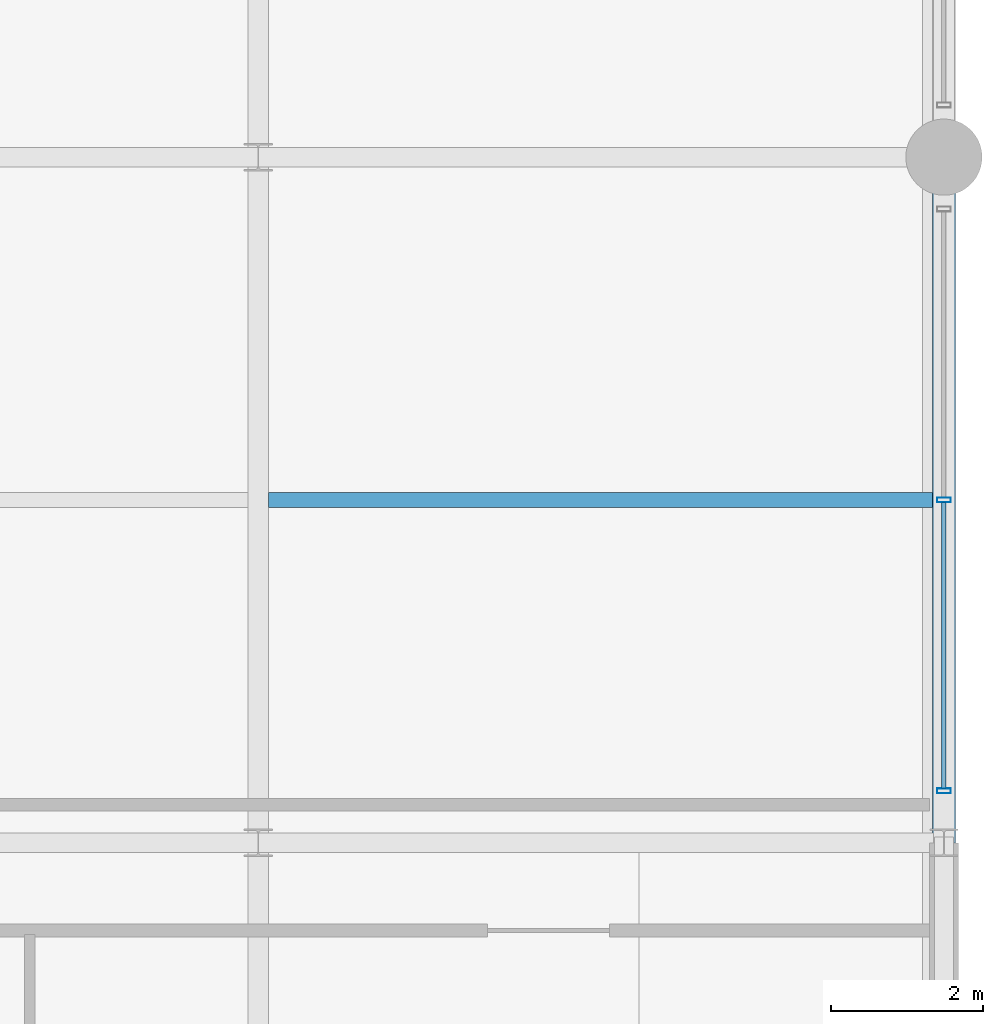
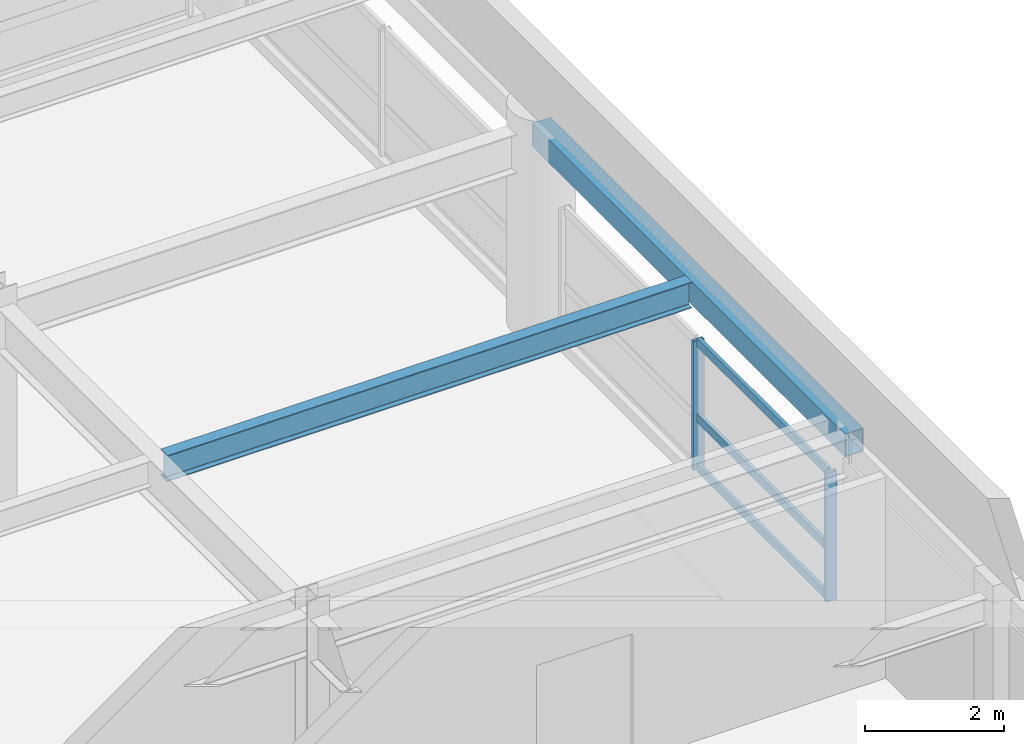
# One storey, part 56 of 108: 5 members, 2 beams, 1 element without a shape of its own.
"""IFC4 building model written with IfcOpenShell, lengths in metres."""

from ifc_helpers import new_model, si_unit, direction, frame, origin, origin_2d, place, context, subcontext, project, spatial, hollow_rectangle, i_section, extrude, material, material_profile, profile_set, type_object, element, aggregate, save


model = new_model("IFC4")

# Units and contexts
model_context = context("Model", 3, precision=1e-05, world=origin(), true_north=direction((0.0, 1.0)))
body_context = subcontext(model_context, "Body", "Model", "MODEL_VIEW")
ifc_project = project(units=[si_unit("LENGTHUNIT", "METRE"), si_unit("AREAUNIT", "SQUARE_METRE"), si_unit("VOLUMEUNIT", "CUBIC_METRE"), si_unit("PLANEANGLEUNIT", "RADIAN"), si_unit("MASSUNIT", "GRAM", prefix="KILO")], contexts=[model_context])

# Site, building, storey
site_placement = place(None, origin())
site = spatial("IfcSite", under=ifc_project, at=site_placement, CompositionType="ELEMENT")
building_placement = place(site_placement, origin())
building = spatial("IfcBuilding", under=site, at=building_placement, Name="Kaldorvane Square Convention Centre", CompositionType="ELEMENT")
storey_placement = place(building_placement, frame((0.0, 0.0, 23.399993896484375)))
storey = spatial("IfcBuildingStorey", under=building, at=storey_placement, Name="L04", CompositionType="ELEMENT", Elevation=23.399993896484375)

# Beams
ifc_material_1 = material(Name="Steel ASTM A992 Gr. 50", Category="steel")
ifc_material_profile_1 = material_profile(ifc_material_1, i_section(OverallWidth=0.1912994384765625, OverallDepth=0.4600067138671875, WebThickness=0.0099029541015625, FlangeThickness=0.0160064697265625, FilletRadius=0.01019287109375, at=origin_2d()), Name="W18X55")
ifc_profile_set_1 = profile_set([ifc_material_profile_1], Name="Steel ASTM A992 Gr. 50")
beam_type_1 = type_object("IfcBeamType", Name="BM-JS-W18X55", PredefinedType="JOIST", material=ifc_profile_set_1)
beam_1_placement = place(storey_placement, frame((165.13330078125, 22.5, 3.2960052490234375), z_axis=(1.0, 0.0, 0.0), x_axis=(0.0, 1.0, 0.0)))
element("IfcBeam", 1, at=beam_1_placement, inside=storey, type_object=beam_type_1, Name="Secondary Floor Joist (L04)", PredefinedType="JOIST", context=body_context, shape_type="SweptSolid", body=[
    extrude(i_section(OverallWidth=0.1912994384765625, OverallDepth=0.4600067138671875, WebThickness=0.0099029541015625, FlangeThickness=0.0160064697265625, FilletRadius=0.01019287109375, at=origin_2d()), origin(), (0.0, 0.0, 1.0), 8.71429443359375),
])
ifc_material_2 = material(Name="Steel ASTM A500 Gr. C", Category="steel")
ifc_material_profile_2 = material_profile(ifc_material_2, hollow_rectangle(XDim=0.3047943115234375, YDim=0.406402587890625, WallThickness=0.0117950439453125, at=origin_2d()), Name="HSS16X12X1/2")
ifc_profile_set_2 = profile_set([ifc_material_profile_2], Name="Steel ASTM A500 Gr. C")
beam_type_2 = type_object("IfcBeamType", Name="BM-SP-HSS16", PredefinedType="SPANDREL", material=ifc_profile_set_2)
beam_2_placement = place(storey_placement, frame((174.0, 18.0, 3.3227996826171875), z_axis=(0.0, 1.0, 0.0), x_axis=(-1.0, 0.0, 0.0)))
element("IfcBeam", 2, at=beam_2_placement, inside=storey, type_object=beam_type_2, Name="End Spandrel (L04)", PredefinedType="SPANDREL", context=body_context, shape_type="SweptSolid", body=[
    extrude(hollow_rectangle(XDim=0.3047943115234375, YDim=0.406402587890625, WallThickness=0.0117950439453125, at=origin_2d()), origin(), (0.0, 0.0, 1.0), 9.0),
])

# Curtain wall, members
ifc_material_3 = material(Name="Anodized Aluminum and Low-E Insulated Glazing", Category="aluminium")
curtain_wall_type = type_object("IfcCurtainWallType", Name="CW-UNI-P42-09", PredefinedType="USERDEFINED", material=ifc_material_3)
curtain_wall_placement = place(storey_placement, origin())
curtain_wall = element("IfcCurtainWall", 3, at=curtain_wall_placement, inside=storey, type_object=curtain_wall_type, Name="Curtain Wall CW-06 (L04)", ObjectType="UNITISED GLAZING", PredefinedType="USERDEFINED")
ifc_material_profile_3 = material_profile(ifc_material_3, hollow_rectangle(XDim=0.06500244140625, YDim=0.17999267578125, WallThickness=0.0034942626953125, at=origin_2d()), Name="CWM-180X65")
ifc_profile_set_3 = profile_set([ifc_material_profile_3], Name="Anodized Aluminum and Low-E Insulated Glazing")
member_type_1 = type_object("IfcMemberType", Name="CW-MUL-180", PredefinedType="MULLION", material=ifc_profile_set_3)
member_1_placement = place(storey_placement, frame((174.0, 18.6824951171875, 0.1500091552734375), z_axis=(0.0, 0.0, 1.0), x_axis=(0.0, 1.0, 0.0)))
member_1 = element("IfcMember", 4, at=member_1_placement, type_object=member_type_1, Name="CW-06 mullion 1", PredefinedType="MULLION", context=body_context, shape_type="SweptSolid", body=[
    extrude(hollow_rectangle(XDim=0.06500244140625, YDim=0.17999267578125, WallThickness=0.0034942626953125, at=origin_2d()), origin(), (0.0, 0.0, 1.0), 2.2599945068359375),
])
member_2_placement = place(storey_placement, frame((174.0, 22.5, 0.1500091552734375), z_axis=(0.0, 0.0, 1.0), x_axis=(0.0, 1.0, 0.0)))
member_2 = element("IfcMember", 5, at=member_2_placement, type_object=member_type_1, Name="CW-06 mullion 2", PredefinedType="MULLION", context=body_context, shape_type="SweptSolid", body=[
    extrude(hollow_rectangle(XDim=0.06500244140625, YDim=0.17999267578125, WallThickness=0.0034942626953125, at=origin_2d()), origin(), (0.0, 0.0, 1.0), 2.2599945068359375),
])
ifc_material_profile_4 = material_profile(ifc_material_3, hollow_rectangle(XDim=0.05999755859375, YDim=0.149993896484375, WallThickness=0.003204345703125, at=origin_2d()), Name="CWT-150X60")
ifc_profile_set_4 = profile_set([ifc_material_profile_4], Name="Anodized Aluminum and Low-E Insulated Glazing")
member_type_2 = type_object("IfcMemberType", Name="CW-TRN-150", PredefinedType="USERDEFINED", material=ifc_profile_set_4)
member_3_placement = place(storey_placement, frame((174.0, 18.714996337890625, 0.1800079345703125), z_axis=(0.0, 1.0, 0.0), x_axis=(-1.0, 0.0, 0.0)))
member_3 = element("IfcMember", 6, at=member_3_placement, type_object=member_type_2, Name="CW-06 transom 1.1", ObjectType="TRANSOM", PredefinedType="USERDEFINED", context=body_context, shape_type="SweptSolid", body=[
    extrude(hollow_rectangle(XDim=0.05999755859375, YDim=0.149993896484375, WallThickness=0.003204345703125, at=origin_2d()), origin(), (0.0, 0.0, 1.0), 3.75250244140625),
])
member_4_placement = place(storey_placement, frame((174.0, 18.714996337890625, 1.0500030517578125), z_axis=(0.0, 1.0, 0.0), x_axis=(-1.0, 0.0, 0.0)))
member_4 = element("IfcMember", 7, at=member_4_placement, type_object=member_type_2, Name="CW-06 transom 1.2", ObjectType="TRANSOM", PredefinedType="USERDEFINED", context=body_context, shape_type="SweptSolid", body=[
    extrude(hollow_rectangle(XDim=0.05999755859375, YDim=0.149993896484375, WallThickness=0.003204345703125, at=origin_2d()), origin(), (0.0, 0.0, 1.0), 3.75250244140625),
])
member_5_placement = place(storey_placement, frame((174.0, 18.714996337890625, 2.3800048828125), z_axis=(0.0, 1.0, 0.0), x_axis=(-1.0, 0.0, 0.0)))
member_5 = element("IfcMember", 8, at=member_5_placement, type_object=member_type_2, Name="CW-06 transom 1.3", ObjectType="TRANSOM", PredefinedType="USERDEFINED", context=body_context, shape_type="SweptSolid", body=[
    extrude(hollow_rectangle(XDim=0.05999755859375, YDim=0.149993896484375, WallThickness=0.003204345703125, at=origin_2d()), origin(), (0.0, 0.0, 1.0), 3.75250244140625),
])
aggregate(curtain_wall, [member_1, member_2, member_3, member_4, member_5])

save(model, "model.ifc")
